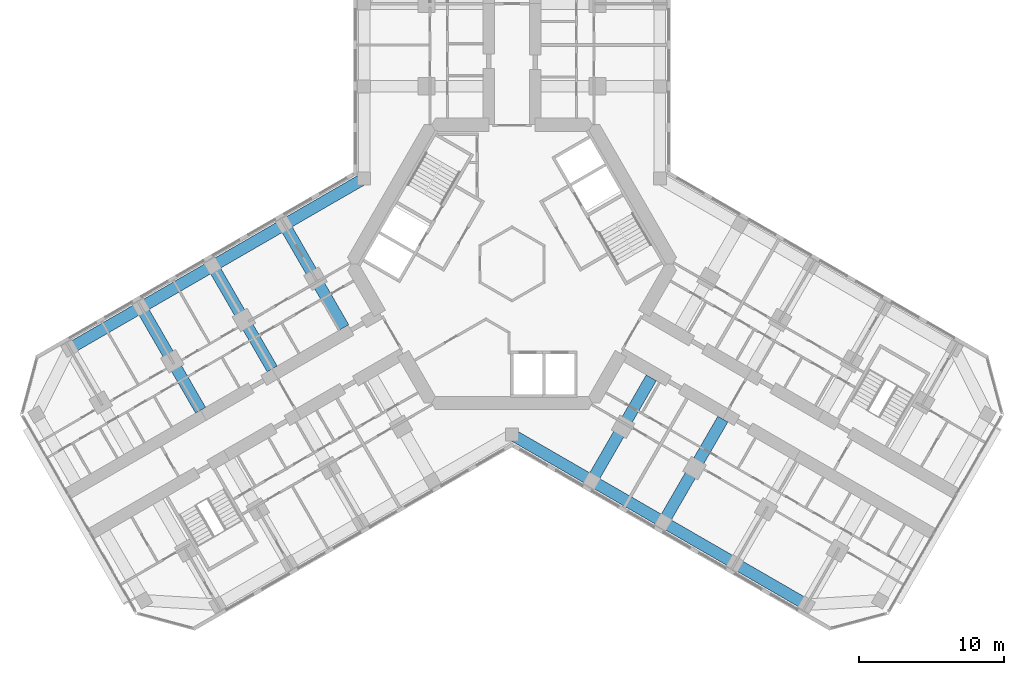
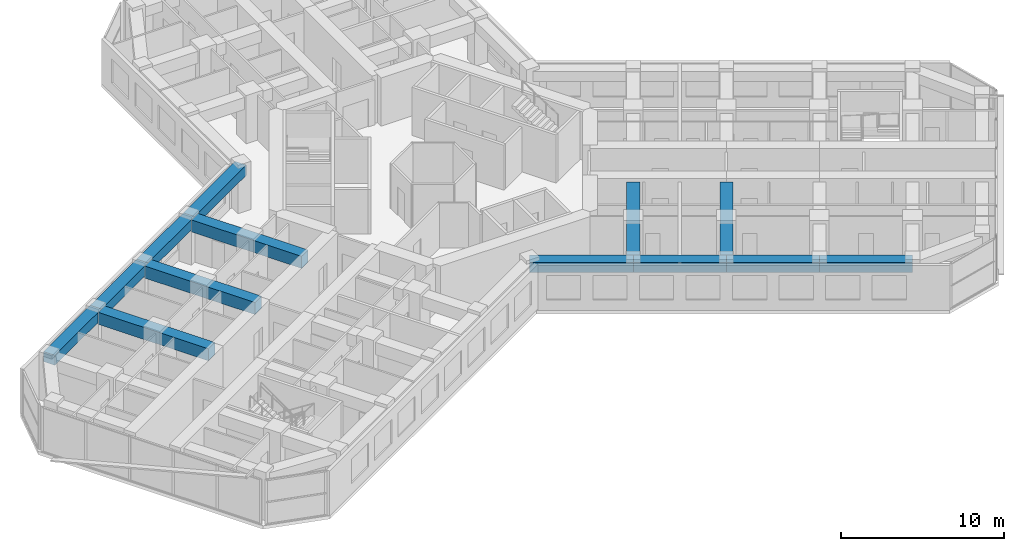
# One storey, part 4 of 19: 13 beams.
"""IFC4 building model written with IfcOpenShell, lengths in metres."""

from ifc_helpers import new_model, si_unit, direction, frame, origin, origin_2d, place, context, subcontext, project, spatial, rectangle, extrude, material, material_profile, profile_set, type_object, element, save


model = new_model("IFC4")

# Units and contexts
model_context = context("Model", 3, precision=1e-05, world=origin(), true_north=direction((0.0, 1.0)))
body_context = subcontext(model_context, "Body", "Model", "MODEL_VIEW")
ifc_project = project(units=[si_unit("LENGTHUNIT", "METRE"), si_unit("AREAUNIT", "SQUARE_METRE"), si_unit("VOLUMEUNIT", "CUBIC_METRE"), si_unit("PLANEANGLEUNIT", "RADIAN"), si_unit("MASSUNIT", "GRAM", prefix="KILO")], contexts=[model_context])

# Site, building, storey
site_placement = place(None, origin())
site = spatial("IfcSite", under=ifc_project, at=site_placement, CompositionType="ELEMENT")
building_placement = place(site_placement, origin())
building = spatial("IfcBuilding", under=site, at=building_placement, Name="Kosmar Iwan School Tower", CompositionType="ELEMENT")
storey_placement = place(building_placement, frame((0.0, 0.0, 145.39990234375)))
storey = spatial("IfcBuildingStorey", under=building, at=storey_placement, Name="L36", CompositionType="ELEMENT", Elevation=145.39990234375)

# Beams
ifc_material_1 = material(Name="Concrete C50/60", Category="concrete")
ifc_material_profile_1 = material_profile(ifc_material_1, rectangle(XDim=0.800048828125, YDim=0.75, at=origin_2d()), Name="RC 800x750")
ifc_profile_set_1 = profile_set([ifc_material_profile_1], Name="Concrete C50/60")
beam_type_1 = type_object("IfcBeamType", Name="RC edge beam 800x750", PredefinedType="BEAM", material=ifc_profile_set_1)
beam_1_placement = place(storey_placement, frame((-10.199951171875, 5.888916015625, 2.97509765625), z_axis=(-0.866030912664, -0.49999045822, 0.0), x_axis=(0.49999045822, -0.866030912664, 0.0)))
element("IfcBeam", 1, at=beam_1_placement, inside=storey, type_object=beam_type_1, Name="Edge beam BR1", PredefinedType="BEAM", context=body_context, shape_type="SweptSolid", body=[
    extrude(rectangle(XDim=0.800048828125, YDim=0.75, at=origin_2d()), origin(), (0.0, 0.0, 1.0), 6.36083984375),
])
beam_2_placement = place(storey_placement, frame((-15.708740234375, 2.70849609375, 2.97509765625), z_axis=(-0.866025820012, -0.499999279071, 0.0), x_axis=(0.499999279071, -0.866025820012, 0.0)))
element("IfcBeam", 2, at=beam_2_placement, inside=storey, type_object=beam_type_1, Name="Edge beam BR2", PredefinedType="BEAM", context=body_context, shape_type="SweptSolid", body=[
    extrude(rectangle(XDim=0.800048828125, YDim=0.75, at=origin_2d()), origin(), (0.0, 0.0, 1.0), 5.7001953125),
])
for number, where, z_axis, x_axis, name in (
    (3, (-20.645263671875, -0.1416015625, 2.97509765625), (-0.866033658841, -0.49998570155, 0.0), (0.49998570155, -0.866033658841, 0.0), "Edge beam BR3"),
    (4, (-25.58154296875, -2.991455078125, 2.97509765625), (-0.866015111908, -0.50001782563, 0.0), (0.50001782563, -0.866015111908, 0.0), "Edge beam BR4"),
):
    element("IfcBeam", number, at=place(storey_placement, frame(where, z_axis=z_axis, x_axis=x_axis)), inside=storey, type_object=beam_type_1, Name=name, PredefinedType="BEAM", context=body_context, shape_type="SweptSolid", body=[
        extrude(rectangle(XDim=0.800048828125, YDim=0.75, at=origin_2d()), origin(), (0.0, 0.0, 1.0), 5.699951171875),
    ])
beam_3_placement = place(storey_placement, frame((0.0, -11.77783203125, 2.97509765625), z_axis=(0.866014293216, -0.500019243575, 0.0), x_axis=(0.500019243575, 0.866014293216, 0.0)))
element("IfcBeam", 5, at=beam_3_placement, inside=storey, type_object=beam_type_1, Name="Edge beam CR1", PredefinedType="BEAM", context=body_context, shape_type="SweptSolid", body=[
    extrude(rectangle(XDim=0.800048828125, YDim=0.75, at=origin_2d()), origin(), (0.0, 0.0, 1.0), 6.361083984375),
])
beam_4_placement = place(storey_placement, frame((5.5087890625, -14.95849609375, 2.97509765625), z_axis=(0.866033658841, -0.49998570155, 0.0), x_axis=(0.49998570155, 0.866033658841, 0.0)))
element("IfcBeam", 6, at=beam_4_placement, inside=storey, type_object=beam_type_1, Name="Edge beam CR2", PredefinedType="BEAM", context=body_context, shape_type="SweptSolid", body=[
    extrude(rectangle(XDim=0.800048828125, YDim=0.75, at=origin_2d()), origin(), (0.0, 0.0, 1.0), 5.699951171875),
])
beam_5_placement = place(storey_placement, frame((10.445068359375, -17.808349609375, 2.97509765625), z_axis=(0.866025820012, -0.499999279071, 0.0), x_axis=(0.499999279071, 0.866025820012, 0.0)))
element("IfcBeam", 7, at=beam_5_placement, inside=storey, type_object=beam_type_1, Name="Edge beam CR3", PredefinedType="BEAM", context=body_context, shape_type="SweptSolid", body=[
    extrude(rectangle(XDim=0.800048828125, YDim=0.75, at=origin_2d()), origin(), (0.0, 0.0, 1.0), 5.7001953125),
])
beam_6_placement = place(storey_placement, frame((15.381591796875, -20.658447265625, 2.97509765625), z_axis=(0.866015111908, -0.50001782563, 0.0), x_axis=(0.50001782563, 0.866015111908, 0.0)))
element("IfcBeam", 8, at=beam_6_placement, inside=storey, type_object=beam_type_1, Name="Edge beam CR4", PredefinedType="BEAM", context=body_context, shape_type="SweptSolid", body=[
    extrude(rectangle(XDim=0.800048828125, YDim=0.75, at=origin_2d()), origin(), (0.0, 0.0, 1.0), 5.699951171875),
])
ifc_material_2 = material(Name="Concrete C50/60", Category="concrete")
ifc_material_profile_2 = material_profile(ifc_material_2, rectangle(XDim=0.800048828125, YDim=0.89990234375, at=origin_2d()), Name="RC 800x900")
ifc_profile_set_2 = profile_set([ifc_material_profile_2], Name="Concrete C50/60")
beam_type_2 = type_object("IfcBeamType", Name="RC transverse beam 800x900", PredefinedType="BEAM", material=ifc_profile_set_2)
for number, where, z_axis, x_axis, name in (
    (9, (-15.708740234375, 2.70849609375, 2.900146484375), (0.499978459874, -0.866037839625, 0.0), (0.866037839625, 0.499978459874, 0.0), "Transverse beam BR1"),
    (10, (-20.645263671875, -0.1416015625, 2.900146484375), (0.500013681986, -0.866017504342, 0.0), (0.866017504342, 0.500013681986, 0.0), "Transverse beam BR2"),
):
    element("IfcBeam", number, at=place(storey_placement, frame(where, z_axis=z_axis, x_axis=x_axis)), inside=storey, type_object=beam_type_2, Name=name, PredefinedType="BEAM", context=body_context, shape_type="SweptSolid", body=[
        extrude(rectangle(XDim=0.800048828125, YDim=0.89990234375, at=origin_2d()), origin(), (0.0, 0.0, 1.0), 8.199951171875),
    ])
for number, where, z_axis, x_axis, name in (
    (11, (-25.58154296875, -2.991455078125, 2.900146484375), (0.500000789788, -0.8660249478, 0.0), (0.8660249478, 0.500000789788, 0.0), "Transverse beam BR3"),
    (12, (5.5087890625, -14.95849609375, 2.900146484375), (0.500000789788, 0.8660249478, 0.0), (-0.8660249478, 0.500000789788, 0.0), "Transverse beam CR1"),
):
    element("IfcBeam", number, at=place(storey_placement, frame(where, z_axis=z_axis, x_axis=x_axis)), inside=storey, type_object=beam_type_2, Name=name, PredefinedType="BEAM", context=body_context, shape_type="SweptSolid", body=[
        extrude(rectangle(XDim=0.800048828125, YDim=0.89990234375, at=origin_2d()), origin(), (0.0, 0.0, 1.0), 8.2001953125),
    ])
beam_7_placement = place(storey_placement, frame((10.445068359375, -17.808349609375, 2.900146484375), z_axis=(0.500013681986, 0.866017504342, 0.0), x_axis=(-0.866017504342, 0.500013681986, 0.0)))
element("IfcBeam", 13, at=beam_7_placement, inside=storey, type_object=beam_type_2, Name="Transverse beam CR2", PredefinedType="BEAM", context=body_context, shape_type="SweptSolid", body=[
    extrude(rectangle(XDim=0.800048828125, YDim=0.89990234375, at=origin_2d()), origin(), (0.0, 0.0, 1.0), 8.199951171875),
])

save(model, "model.ifc")
